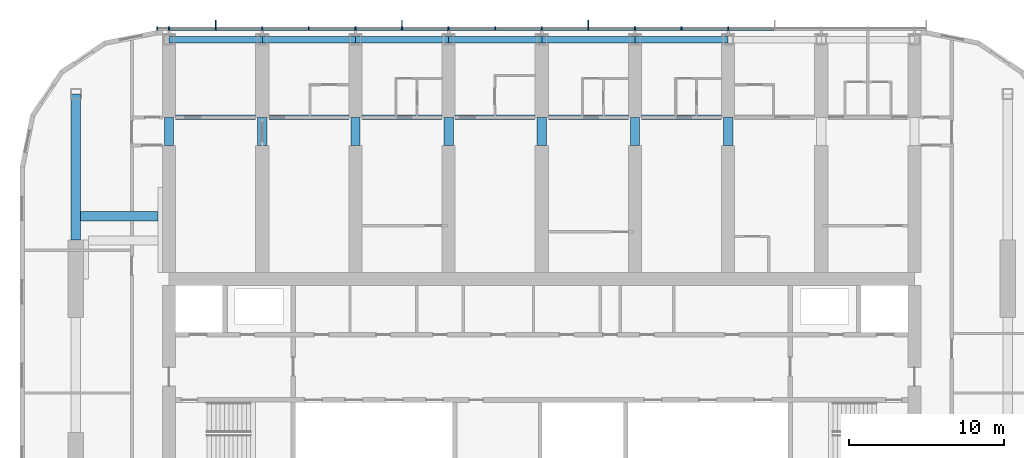
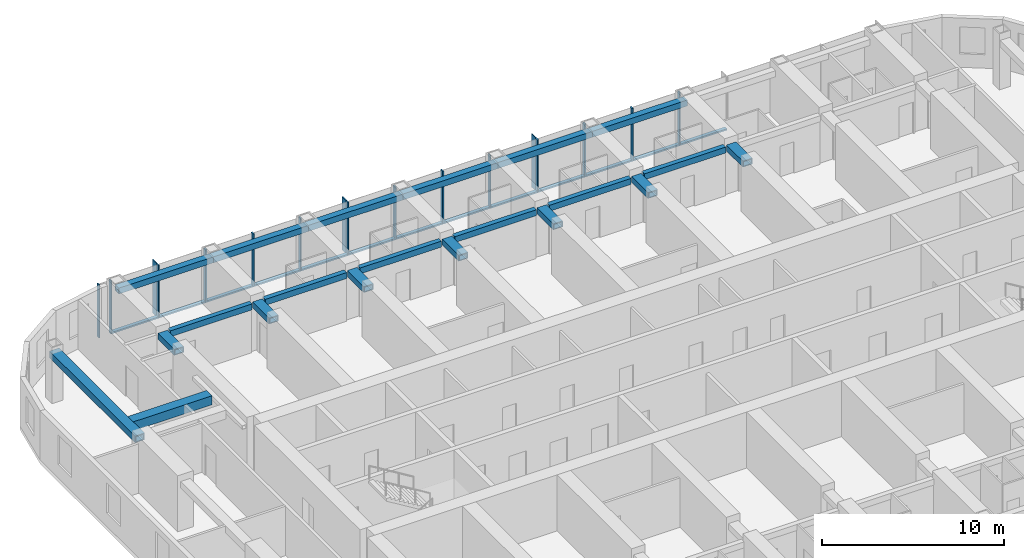
# One storey, part 4 of 22: 30 members, 21 beams, 1 element without a shape of its own.
"""IFC4 building model written with IfcOpenShell, lengths in metres."""

from ifc_helpers import new_model, si_unit, direction, frame, origin, origin_2d, place, context, subcontext, project, spatial, rectangle, hollow_rectangle, extrude, material, material_profile, profile_set, type_object, element, aggregate, save


model = new_model("IFC4")

# Units and contexts
model_context = context("Model", 3, precision=1e-05, world=origin(), true_north=direction((0.0, 1.0)))
body_context = subcontext(model_context, "Body", "Model", "MODEL_VIEW")
ifc_project = project(units=[si_unit("LENGTHUNIT", "METRE"), si_unit("AREAUNIT", "SQUARE_METRE"), si_unit("VOLUMEUNIT", "CUBIC_METRE"), si_unit("PLANEANGLEUNIT", "RADIAN"), si_unit("MASSUNIT", "GRAM", prefix="KILO")], contexts=[model_context])

# Site, building, storey
site_placement = place(None, origin())
site = spatial("IfcSite", under=ifc_project, at=site_placement, CompositionType="ELEMENT")
building_placement = place(site_placement, origin())
building = spatial("IfcBuilding", under=site, at=building_placement, Name="Orbita Commons", CompositionType="ELEMENT")
storey_placement = place(building_placement, frame((0.0, 0.0, 159.85009765625)))
storey = spatial("IfcBuildingStorey", under=building, at=storey_placement, Name="L39", CompositionType="ELEMENT", Elevation=159.85009765625)

# Curtain wall, members
ifc_material_1 = material(Name="Anodised aluminium frame, pale silver", Category="aluminium")
curtain_wall_type = type_object("IfcCurtainWallType", Name="Unitised curtain wall CW-U, full-height vision", PredefinedType="NOTDEFINED", material=ifc_material_1)
curtain_wall_placement = place(storey_placement, origin())
curtain_wall = element("IfcCurtainWall", 1, at=curtain_wall_placement, inside=storey, type_object=curtain_wall_type, Name="Curtain wall north L39", PredefinedType="NOTDEFINED")
ifc_material_2 = material(Name="Anodised aluminium, pale silver", Category="aluminium")
ifc_material_profile_1 = material_profile(ifc_material_2, rectangle(XDim=0.080078125, YDim=0.219970703125, at=origin_2d()), Name="AL 80x220")
ifc_profile_set_1 = profile_set([ifc_material_profile_1], Name="Anodised aluminium, pale silver")
member_type_1 = type_object("IfcMemberType", Name="Curtain wall mullion 80x220", PredefinedType="MULLION", material=ifc_profile_set_1)
member_1_placement = place(storey_placement, frame((54.0, 54.31005859375, -0.25), z_axis=(0.0, 0.0, 1.0), x_axis=(-1.0, 0.0, 0.0)))
member_1 = element("IfcMember", 2, at=member_1_placement, type_object=member_type_1, Name="Mullion 6 CW-L39-N", PredefinedType="MULLION", context=body_context, shape_type="SweptSolid", body=[
    extrude(rectangle(XDim=0.080078125, YDim=0.219970703125, at=origin_2d()), origin(), (0.0, 0.0, 1.0), 3.5498046875),
])
member_2_placement = place(storey_placement, frame((51.0, 54.31005859375, -0.25), z_axis=(0.0, 0.0, 1.0), x_axis=(-1.0, 0.0, 0.0)))
member_2 = element("IfcMember", 3, at=member_2_placement, type_object=member_type_1, Name="Mullion 7 CW-L39-N", PredefinedType="MULLION", context=body_context, shape_type="SweptSolid", body=[
    extrude(rectangle(XDim=0.080078125, YDim=0.219970703125, at=origin_2d()), origin(), (0.0, 0.0, 1.0), 3.5498046875),
])
member_3_placement = place(storey_placement, frame((48.0, 54.31005859375, -0.25), z_axis=(0.0, 0.0, 1.0), x_axis=(-1.0, 0.0, 0.0)))
member_3 = element("IfcMember", 4, at=member_3_placement, type_object=member_type_1, Name="Mullion 8 CW-L39-N", PredefinedType="MULLION", context=body_context, shape_type="SweptSolid", body=[
    extrude(rectangle(XDim=0.080078125, YDim=0.219970703125, at=origin_2d()), origin(), (0.0, 0.0, 1.0), 3.5498046875),
])
member_4_placement = place(storey_placement, frame((45.0, 54.31005859375, -0.25), z_axis=(0.0, 0.0, 1.0), x_axis=(-1.0, 0.0, 0.0)))
member_4 = element("IfcMember", 5, at=member_4_placement, type_object=member_type_1, Name="Mullion 9 CW-L39-N", PredefinedType="MULLION", context=body_context, shape_type="SweptSolid", body=[
    extrude(rectangle(XDim=0.080078125, YDim=0.219970703125, at=origin_2d()), origin(), (0.0, 0.0, 1.0), 3.5498046875),
])
member_5_placement = place(storey_placement, frame((42.0, 54.31005859375, -0.25), z_axis=(0.0, 0.0, 1.0), x_axis=(-1.0, 0.0, 0.0)))
member_5 = element("IfcMember", 6, at=member_5_placement, type_object=member_type_1, Name="Mullion 10 CW-L39-N", PredefinedType="MULLION", context=body_context, shape_type="SweptSolid", body=[
    extrude(rectangle(XDim=0.080078125, YDim=0.219970703125, at=origin_2d()), origin(), (0.0, 0.0, 1.0), 3.5498046875),
])
member_6_placement = place(storey_placement, frame((39.0, 54.31005859375, -0.25), z_axis=(0.0, 0.0, 1.0), x_axis=(-1.0, 0.0, 0.0)))
member_6 = element("IfcMember", 7, at=member_6_placement, type_object=member_type_1, Name="Mullion 11 CW-L39-N", PredefinedType="MULLION", context=body_context, shape_type="SweptSolid", body=[
    extrude(rectangle(XDim=0.080078125, YDim=0.219970703125, at=origin_2d()), origin(), (0.0, 0.0, 1.0), 3.5498046875),
])
member_7_placement = place(storey_placement, frame((36.0, 54.31005859375, -0.25), z_axis=(0.0, 0.0, 1.0), x_axis=(-1.0, 0.0, 0.0)))
member_7 = element("IfcMember", 8, at=member_7_placement, type_object=member_type_1, Name="Mullion 12 CW-L39-N", PredefinedType="MULLION", context=body_context, shape_type="SweptSolid", body=[
    extrude(rectangle(XDim=0.080078125, YDim=0.219970703125, at=origin_2d()), origin(), (0.0, 0.0, 1.0), 3.5498046875),
])
member_8_placement = place(storey_placement, frame((33.0, 54.31005859375, -0.25), z_axis=(0.0, 0.0, 1.0), x_axis=(-1.0, 0.0, 0.0)))
member_8 = element("IfcMember", 9, at=member_8_placement, type_object=member_type_1, Name="Mullion 13 CW-L39-N", PredefinedType="MULLION", context=body_context, shape_type="SweptSolid", body=[
    extrude(rectangle(XDim=0.080078125, YDim=0.219970703125, at=origin_2d()), origin(), (0.0, 0.0, 1.0), 3.5498046875),
])
member_9_placement = place(storey_placement, frame((30.0, 54.31005859375, -0.25), z_axis=(0.0, 0.0, 1.0), x_axis=(-1.0, 0.0, 0.0)))
member_9 = element("IfcMember", 10, at=member_9_placement, type_object=member_type_1, Name="Mullion 14 CW-L39-N", PredefinedType="MULLION", context=body_context, shape_type="SweptSolid", body=[
    extrude(rectangle(XDim=0.080078125, YDim=0.219970703125, at=origin_2d()), origin(), (0.0, 0.0, 1.0), 3.5498046875),
])
member_10_placement = place(storey_placement, frame((27.0, 54.31005859375, -0.25), z_axis=(0.0, 0.0, 1.0), x_axis=(-1.0, 0.0, 0.0)))
member_10 = element("IfcMember", 11, at=member_10_placement, type_object=member_type_1, Name="Mullion 15 CW-L39-N", PredefinedType="MULLION", context=body_context, shape_type="SweptSolid", body=[
    extrude(rectangle(XDim=0.080078125, YDim=0.219970703125, at=origin_2d()), origin(), (0.0, 0.0, 1.0), 3.5498046875),
])
member_11_placement = place(storey_placement, frame((24.0, 54.31005859375, -0.25), z_axis=(0.0, 0.0, 1.0), x_axis=(-1.0, 0.0, 0.0)))
member_11 = element("IfcMember", 12, at=member_11_placement, type_object=member_type_1, Name="Mullion 16 CW-L39-N", PredefinedType="MULLION", context=body_context, shape_type="SweptSolid", body=[
    extrude(rectangle(XDim=0.080078125, YDim=0.219970703125, at=origin_2d()), origin(), (0.0, 0.0, 1.0), 3.5498046875),
])
member_12_placement = place(storey_placement, frame((21.0, 54.31005859375, -0.25), z_axis=(0.0, 0.0, 1.0), x_axis=(-1.0, 0.0, 0.0)))
member_12 = element("IfcMember", 13, at=member_12_placement, type_object=member_type_1, Name="Mullion 17 CW-L39-N", PredefinedType="MULLION", context=body_context, shape_type="SweptSolid", body=[
    extrude(rectangle(XDim=0.080078125, YDim=0.219970703125, at=origin_2d()), origin(), (0.0, 0.0, 1.0), 3.5498046875),
])
member_13_placement = place(storey_placement, frame((18.0, 54.31005859375, -0.25), z_axis=(0.0, 0.0, 1.0), x_axis=(-1.0, 0.0, 0.0)))
member_13 = element("IfcMember", 14, at=member_13_placement, type_object=member_type_1, Name="Mullion 18 CW-L39-N", PredefinedType="MULLION", context=body_context, shape_type="SweptSolid", body=[
    extrude(rectangle(XDim=0.080078125, YDim=0.219970703125, at=origin_2d()), origin(), (0.0, 0.0, 1.0), 3.5498046875),
])
member_14_placement = place(storey_placement, frame((17.239990234375, 54.31005859375, -0.25), z_axis=(0.0, 0.0, 1.0), x_axis=(-1.0, 0.0, 0.0)))
member_14 = element("IfcMember", 15, at=member_14_placement, type_object=member_type_1, Name="Mullion 19 CW-L39-N", PredefinedType="MULLION", context=body_context, shape_type="SweptSolid", body=[
    extrude(rectangle(XDim=0.080078125, YDim=0.219970703125, at=origin_2d()), origin(), (0.0, 0.0, 1.0), 3.5498046875),
])
ifc_material_3 = material(Name="Anodised aluminium, pale silver", Category="aluminium")
ifc_material_profile_2 = material_profile(ifc_material_3, rectangle(XDim=0.219970703125, YDim=0.10009765625, at=origin_2d()), Name="AL 220x100")
ifc_profile_set_2 = profile_set([ifc_material_profile_2], Name="Anodised aluminium, pale silver")
member_type_2 = type_object("IfcMemberType", Name="Curtain wall stack transom 220x100", PredefinedType="USERDEFINED", material=ifc_profile_set_2)
member_15_placement = place(storey_placement, frame((56.9599609375, 54.31005859375, -0.2001953125), z_axis=(-1.0, 0.0, 0.0), x_axis=(0.0, -1.0, 0.0)))
member_15 = element("IfcMember", 16, at=member_15_placement, type_object=member_type_2, Name="Transom 5.1 CW-L39-N", ObjectType="TRANSOM", PredefinedType="USERDEFINED", context=body_context, shape_type="SweptSolid", body=[
    extrude(rectangle(XDim=0.219970703125, YDim=0.10009765625, at=origin_2d()), origin(), (0.0, 0.0, 1.0), 2.919921875),
])
member_16_placement = place(storey_placement, frame((53.9599609375, 54.31005859375, -0.2001953125), z_axis=(-1.0, 0.0, 0.0), x_axis=(0.0, -1.0, 0.0)))
member_16 = element("IfcMember", 17, at=member_16_placement, type_object=member_type_2, Name="Transom 6.1 CW-L39-N", ObjectType="TRANSOM", PredefinedType="USERDEFINED", context=body_context, shape_type="SweptSolid", body=[
    extrude(rectangle(XDim=0.219970703125, YDim=0.10009765625, at=origin_2d()), origin(), (0.0, 0.0, 1.0), 2.919921875),
])
member_17_placement = place(storey_placement, frame((50.9599609375, 54.31005859375, -0.2001953125), z_axis=(-1.0, 0.0, 0.0), x_axis=(0.0, -1.0, 0.0)))
member_17 = element("IfcMember", 18, at=member_17_placement, type_object=member_type_2, Name="Transom 7.1 CW-L39-N", ObjectType="TRANSOM", PredefinedType="USERDEFINED", context=body_context, shape_type="SweptSolid", body=[
    extrude(rectangle(XDim=0.219970703125, YDim=0.10009765625, at=origin_2d()), origin(), (0.0, 0.0, 1.0), 2.919921875),
])
member_18_placement = place(storey_placement, frame((47.9599609375, 54.31005859375, -0.2001953125), z_axis=(-1.0, 0.0, 0.0), x_axis=(0.0, -1.0, 0.0)))
member_18 = element("IfcMember", 19, at=member_18_placement, type_object=member_type_2, Name="Transom 8.1 CW-L39-N", ObjectType="TRANSOM", PredefinedType="USERDEFINED", context=body_context, shape_type="SweptSolid", body=[
    extrude(rectangle(XDim=0.219970703125, YDim=0.10009765625, at=origin_2d()), origin(), (0.0, 0.0, 1.0), 2.919921875),
])
member_19_placement = place(storey_placement, frame((44.9599609375, 54.31005859375, -0.2001953125), z_axis=(-1.0, 0.0, 0.0), x_axis=(0.0, -1.0, 0.0)))
member_19 = element("IfcMember", 20, at=member_19_placement, type_object=member_type_2, Name="Transom 9.1 CW-L39-N", ObjectType="TRANSOM", PredefinedType="USERDEFINED", context=body_context, shape_type="SweptSolid", body=[
    extrude(rectangle(XDim=0.219970703125, YDim=0.10009765625, at=origin_2d()), origin(), (0.0, 0.0, 1.0), 2.919921875),
])
member_20_placement = place(storey_placement, frame((41.9599609375, 54.31005859375, -0.2001953125), z_axis=(-1.0, 0.0, 0.0), x_axis=(0.0, -1.0, 0.0)))
member_20 = element("IfcMember", 21, at=member_20_placement, type_object=member_type_2, Name="Transom 10.1 CW-L39-N", ObjectType="TRANSOM", PredefinedType="USERDEFINED", context=body_context, shape_type="SweptSolid", body=[
    extrude(rectangle(XDim=0.219970703125, YDim=0.10009765625, at=origin_2d()), origin(), (0.0, 0.0, 1.0), 2.919921875),
])
member_21_placement = place(storey_placement, frame((38.9599609375, 54.31005859375, -0.2001953125), z_axis=(-1.0, 0.0, 0.0), x_axis=(0.0, -1.0, 0.0)))
member_21 = element("IfcMember", 22, at=member_21_placement, type_object=member_type_2, Name="Transom 11.1 CW-L39-N", ObjectType="TRANSOM", PredefinedType="USERDEFINED", context=body_context, shape_type="SweptSolid", body=[
    extrude(rectangle(XDim=0.219970703125, YDim=0.10009765625, at=origin_2d()), origin(), (0.0, 0.0, 1.0), 2.919921875),
])
member_22_placement = place(storey_placement, frame((35.9599609375, 54.31005859375, -0.2001953125), z_axis=(-1.0, 0.0, 0.0), x_axis=(0.0, -1.0, 0.0)))
member_22 = element("IfcMember", 23, at=member_22_placement, type_object=member_type_2, Name="Transom 12.1 CW-L39-N", ObjectType="TRANSOM", PredefinedType="USERDEFINED", context=body_context, shape_type="SweptSolid", body=[
    extrude(rectangle(XDim=0.219970703125, YDim=0.10009765625, at=origin_2d()), origin(), (0.0, 0.0, 1.0), 2.919921875),
])
member_23_placement = place(storey_placement, frame((32.9599609375, 54.31005859375, -0.2001953125), z_axis=(-1.0, 0.0, 0.0), x_axis=(0.0, -1.0, 0.0)))
member_23 = element("IfcMember", 24, at=member_23_placement, type_object=member_type_2, Name="Transom 13.1 CW-L39-N", ObjectType="TRANSOM", PredefinedType="USERDEFINED", context=body_context, shape_type="SweptSolid", body=[
    extrude(rectangle(XDim=0.219970703125, YDim=0.10009765625, at=origin_2d()), origin(), (0.0, 0.0, 1.0), 2.919921875),
])
member_24_placement = place(storey_placement, frame((29.9599609375, 54.31005859375, -0.2001953125), z_axis=(-1.0, 0.0, 0.0), x_axis=(0.0, -1.0, 0.0)))
member_24 = element("IfcMember", 25, at=member_24_placement, type_object=member_type_2, Name="Transom 14.1 CW-L39-N", ObjectType="TRANSOM", PredefinedType="USERDEFINED", context=body_context, shape_type="SweptSolid", body=[
    extrude(rectangle(XDim=0.219970703125, YDim=0.10009765625, at=origin_2d()), origin(), (0.0, 0.0, 1.0), 2.919921875),
])
member_25_placement = place(storey_placement, frame((26.9599609375, 54.31005859375, -0.2001953125), z_axis=(-1.0, 0.0, 0.0), x_axis=(0.0, -1.0, 0.0)))
member_25 = element("IfcMember", 26, at=member_25_placement, type_object=member_type_2, Name="Transom 15.1 CW-L39-N", ObjectType="TRANSOM", PredefinedType="USERDEFINED", context=body_context, shape_type="SweptSolid", body=[
    extrude(rectangle(XDim=0.219970703125, YDim=0.10009765625, at=origin_2d()), origin(), (0.0, 0.0, 1.0), 2.919921875),
])
member_26_placement = place(storey_placement, frame((23.9599609375, 54.31005859375, -0.2001953125), z_axis=(-1.0, 0.0, 0.0), x_axis=(0.0, -1.0, 0.0)))
member_26 = element("IfcMember", 27, at=member_26_placement, type_object=member_type_2, Name="Transom 16.1 CW-L39-N", ObjectType="TRANSOM", PredefinedType="USERDEFINED", context=body_context, shape_type="SweptSolid", body=[
    extrude(rectangle(XDim=0.219970703125, YDim=0.10009765625, at=origin_2d()), origin(), (0.0, 0.0, 1.0), 2.919921875),
])
member_27_placement = place(storey_placement, frame((20.9599609375, 54.31005859375, -0.2001953125), z_axis=(-1.0, 0.0, 0.0), x_axis=(0.0, -1.0, 0.0)))
member_27 = element("IfcMember", 28, at=member_27_placement, type_object=member_type_2, Name="Transom 17.1 CW-L39-N", ObjectType="TRANSOM", PredefinedType="USERDEFINED", context=body_context, shape_type="SweptSolid", body=[
    extrude(rectangle(XDim=0.219970703125, YDim=0.10009765625, at=origin_2d()), origin(), (0.0, 0.0, 1.0), 2.919921875),
])

# Beams
ifc_material_4 = material(Name="Steel ASTM A572 Gr 50 welded plate", Category="steel")
ifc_material_profile_3 = material_profile(ifc_material_4, hollow_rectangle(XDim=0.60009765625, YDim=0.60009765625, WallThickness=0.06005859375, at=origin_2d()), Name="BOX 600x600x60")
ifc_profile_set_3 = profile_set([ifc_material_profile_3], Name="Steel ASTM A572 Gr 50 welded plate")
beam_type_1 = type_object("IfcBeamType", Name="Stair trimmer beam BOX 600x600x60", PredefinedType="BEAM", material=ifc_profile_set_3)
beam_1_placement = place(storey_placement, frame((12.300048828125, 42.235107421875, 3.0), z_axis=(1.0, 0.0, 0.0), x_axis=(0.0, 1.0, 0.0)))
element("IfcBeam", 29, at=beam_1_placement, inside=storey, type_object=beam_type_1, Name="Neighbourhood stair L40 to L41 transfer beam 2", PredefinedType="BEAM", context=body_context, shape_type="SweptSolid", body=[
    extrude(hollow_rectangle(XDim=0.60009765625, YDim=0.60009765625, WallThickness=0.06005859375, at=origin_2d()), origin(), (0.0, 0.0, 1.0), 4.974853515625),
])
ifc_material_5 = material(Name="Steel ASTM A572 Gr 50 welded plate", Category="steel")
ifc_material_profile_4 = material_profile(ifc_material_5, hollow_rectangle(XDim=0.300048828125, YDim=0.39990234375, WallThickness=0.0400390625, at=origin_2d()), Name="BOX 400x300x40")
ifc_profile_set_4 = profile_set([ifc_material_profile_4], Name="Steel ASTM A572 Gr 50 welded plate")
beam_type_2 = type_object("IfcBeamType", Name="Steel corridor link BOX 400x300x40", PredefinedType="BEAM", material=ifc_profile_set_4)
for number, where, z_axis, x_axis, name in (
    (30, (18.425048828125, 48.60009765625, 3.099853515625), (1.0, 0.0, 0.0), (0.0, 1.0, 0.0), "Corridor beam NB 4-5 L39"),
    (31, (24.425048828125, 48.60009765625, 3.099853515625), (1.0, 0.0, 0.0), (0.0, 1.0, 0.0), "Corridor beam NB 5-6 L39"),
    (32, (30.425048828125, 48.60009765625, 3.099853515625), (1.0, 0.0, 0.0), (0.0, 1.0, 0.0), "Corridor beam NB 6-7 L39"),
    (33, (36.425048828125, 48.60009765625, 3.099853515625), (1.0, 0.0, 0.0), (0.0, 1.0, 0.0), "Corridor beam NB 7-8 L39"),
    (34, (42.425048828125, 48.60009765625, 3.099853515625), (1.0, 0.0, 0.0), (0.0, 1.0, 0.0), "Corridor beam NB 8-9 L39"),
    (35, (48.425048828125, 48.60009765625, 3.099853515625), (1.0, 0.0, 0.0), (0.0, 1.0, 0.0), "Corridor beam NB 9-10 L39"),
):
    element("IfcBeam", number, at=place(storey_placement, frame(where, z_axis=z_axis, x_axis=x_axis)), inside=storey, type_object=beam_type_2, Name=name, PredefinedType="BEAM", context=body_context, shape_type="SweptSolid", body=[
        extrude(hollow_rectangle(XDim=0.300048828125, YDim=0.39990234375, WallThickness=0.0400390625, at=origin_2d()), origin(), (0.0, 0.0, 1.0), 5.14990234375),
    ])
ifc_material_6 = material(Name="Steel ASTM A572 Gr 50 welded plate", Category="steel")
ifc_material_profile_5 = material_profile(ifc_material_6, hollow_rectangle(XDim=0.60009765625, YDim=0.39990234375, WallThickness=0.050048828125, at=origin_2d()), Name="BOX 400x600x50")
ifc_profile_set_5 = profile_set([ifc_material_profile_5], Name="Steel ASTM A572 Gr 50 welded plate")
beam_type_3 = type_object("IfcBeamType", Name="Steel coupling link BOX 400x600x50", PredefinedType="LINTEL", material=ifc_profile_set_5)
for number, where, z_axis, x_axis, name in (
    (36, (18.0, 46.800048828125, 3.099853515625), (0.0, 1.0, 0.0), (-1.0, 0.0, 0.0), "Coupling beam 4 north L39"),
    (37, (24.0, 46.800048828125, 3.099853515625), (0.0, 1.0, 0.0), (-1.0, 0.0, 0.0), "Coupling beam 5 north L39"),
    (38, (30.0, 46.800048828125, 3.099853515625), (0.0, 1.0, 0.0), (-1.0, 0.0, 0.0), "Coupling beam 6 north L39"),
    (39, (36.0, 46.800048828125, 3.099853515625), (0.0, 1.0, 0.0), (-1.0, 0.0, 0.0), "Coupling beam 7 north L39"),
    (40, (42.0, 46.800048828125, 3.099853515625), (0.0, 1.0, 0.0), (-1.0, 0.0, 0.0), "Coupling beam 8 north L39"),
    (41, (48.0, 46.800048828125, 3.099853515625), (0.0, 1.0, 0.0), (-1.0, 0.0, 0.0), "Coupling beam 9 north L39"),
    (42, (54.0, 46.800048828125, 3.099853515625), (0.0, 1.0, 0.0), (-1.0, 0.0, 0.0), "Coupling beam 10 north L39"),
):
    element("IfcBeam", number, at=place(storey_placement, frame(where, z_axis=z_axis, x_axis=x_axis)), inside=storey, type_object=beam_type_3, Name=name, PredefinedType="LINTEL", context=body_context, shape_type="SweptSolid", body=[
        extrude(hollow_rectangle(XDim=0.60009765625, YDim=0.39990234375, WallThickness=0.050048828125, at=origin_2d()), origin(), (0.0, 0.0, 1.0), 1.800048828125),
    ])
ifc_material_7 = material(Name="Steel ASTM A572 Gr 50 welded plate", Category="steel")
ifc_material_profile_6 = material_profile(ifc_material_7, hollow_rectangle(XDim=0.60009765625, YDim=0.449951171875, WallThickness=0.06005859375, at=origin_2d()), Name="BOX 450x600x60")
ifc_profile_set_6 = profile_set([ifc_material_profile_6], Name="Steel ASTM A572 Gr 50 welded plate")
beam_type_4 = type_object("IfcBeamType", Name="Steel end frame link BOX 450x600x60", PredefinedType="BEAM", material=ifc_profile_set_6)
beam_2_placement = place(storey_placement, frame((12.0, 40.699951171875, 3.074951171875), z_axis=(0.0, 1.0, 0.0), x_axis=(-1.0, 0.0, 0.0)))
element("IfcBeam", 43, at=beam_2_placement, inside=storey, type_object=beam_type_4, Name="End frame beam 3 D-E L39", PredefinedType="BEAM", context=body_context, shape_type="SweptSolid", body=[
    extrude(hollow_rectangle(XDim=0.60009765625, YDim=0.449951171875, WallThickness=0.06005859375, at=origin_2d()), origin(), (0.0, 0.0, 1.0), 9.400146484375),
])
ifc_material_8 = material(Name="Steel ASTM A572 Gr 50 welded plate", Category="steel")
ifc_material_profile_7 = material_profile(ifc_material_8, hollow_rectangle(XDim=0.39990234375, YDim=0.39990234375, WallThickness=0.0400390625, at=origin_2d()), Name="BOX 400x400x40")
ifc_profile_set_7 = profile_set([ifc_material_profile_7], Name="Steel ASTM A572 Gr 50 welded plate")
beam_type_5 = type_object("IfcBeamType", Name="Steel spandrel BOX 400x400x40", PredefinedType="SPANDREL", material=ifc_profile_set_7)
for number, where, z_axis, x_axis, name in (
    (44, (18.0, 53.60009765625, 3.099853515625), (1.0, 0.0, 0.0), (0.0, 1.0, 0.0), "Spandrel beam E 4-5 L39"),
    (45, (24.0, 53.60009765625, 3.099853515625), (1.0, 0.0, 0.0), (0.0, 1.0, 0.0), "Spandrel beam E 5-6 L39"),
    (46, (30.0, 53.60009765625, 3.099853515625), (1.0, 0.0, 0.0), (0.0, 1.0, 0.0), "Spandrel beam E 6-7 L39"),
    (47, (36.0, 53.60009765625, 3.099853515625), (1.0, 0.0, 0.0), (0.0, 1.0, 0.0), "Spandrel beam E 7-8 L39"),
    (48, (42.0, 53.60009765625, 3.099853515625), (1.0, 0.0, 0.0), (0.0, 1.0, 0.0), "Spandrel beam E 8-9 L39"),
    (49, (48.0, 53.60009765625, 3.099853515625), (1.0, 0.0, 0.0), (0.0, 1.0, 0.0), "Spandrel beam E 9-10 L39"),
):
    element("IfcBeam", number, at=place(storey_placement, frame(where, z_axis=z_axis, x_axis=x_axis)), inside=storey, type_object=beam_type_5, Name=name, PredefinedType="SPANDREL", context=body_context, shape_type="SweptSolid", body=[
        extrude(hollow_rectangle(XDim=0.39990234375, YDim=0.39990234375, WallThickness=0.0400390625, at=origin_2d()), origin(), (0.0, 0.0, 1.0), 6.0),
    ])

# Member
ifc_material_9 = material(Name="Anodised aluminium, pale silver", Category="aluminium")
ifc_material_profile_8 = material_profile(ifc_material_9, rectangle(XDim=0.06005859375, YDim=0.449951171875, at=origin_2d()), Name="FIN 60x450")
ifc_profile_set_8 = profile_set([ifc_material_profile_8], Name="Anodised aluminium, pale silver")
member_type_3 = type_object("IfcMemberType", Name="Vertical fin 60x450 pale aluminium", PredefinedType="USERDEFINED", material=ifc_profile_set_8)
member_28_placement = place(storey_placement, frame((45.0, 54.64501953125, -0.25), z_axis=(0.0, 0.0, 1.0), x_axis=(-1.0, 0.0, 0.0)))
member_28 = element("IfcMember", 50, at=member_28_placement, type_object=member_type_3, Name="Fin 9 CW-L39-N", ObjectType="FIN", PredefinedType="USERDEFINED", context=body_context, shape_type="SweptSolid", body=[
    extrude(rectangle(XDim=0.06005859375, YDim=0.449951171875, at=origin_2d()), origin(), (0.0, 0.0, 1.0), 3.5498046875),
])

member_29_placement = place(storey_placement, frame((33.0, 54.64501953125, -0.25), z_axis=(0.0, 0.0, 1.0), x_axis=(-1.0, 0.0, 0.0)))
member_29 = element("IfcMember", 51, at=member_29_placement, type_object=member_type_3, Name="Fin 13 CW-L39-N", ObjectType="FIN", PredefinedType="USERDEFINED", context=body_context, shape_type="SweptSolid", body=[
    extrude(rectangle(XDim=0.06005859375, YDim=0.449951171875, at=origin_2d()), origin(), (0.0, 0.0, 1.0), 3.5498046875),
])

member_30_placement = place(storey_placement, frame((21.0, 54.64501953125, -0.25), z_axis=(0.0, 0.0, 1.0), x_axis=(-1.0, 0.0, 0.0)))
member_30 = element("IfcMember", 52, at=member_30_placement, type_object=member_type_3, Name="Fin 17 CW-L39-N", ObjectType="FIN", PredefinedType="USERDEFINED", context=body_context, shape_type="SweptSolid", body=[
    extrude(rectangle(XDim=0.06005859375, YDim=0.449951171875, at=origin_2d()), origin(), (0.0, 0.0, 1.0), 3.5498046875),
])

aggregate(curtain_wall, [member_1, member_2, member_3, member_4, member_28, member_5, member_6, member_7, member_8, member_29, member_9, member_10, member_11, member_12, member_30, member_13, member_14, member_15, member_16, member_17, member_18, member_19, member_20, member_21, member_22, member_23, member_24, member_25, member_26, member_27])

save(model, "model.ifc")
